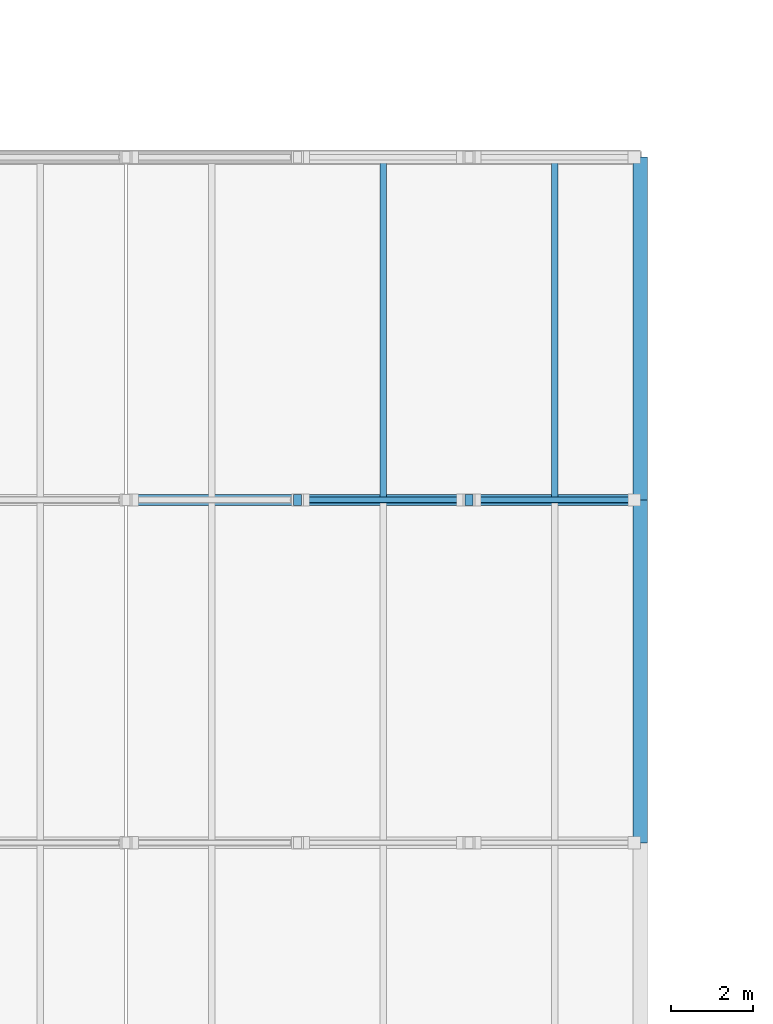
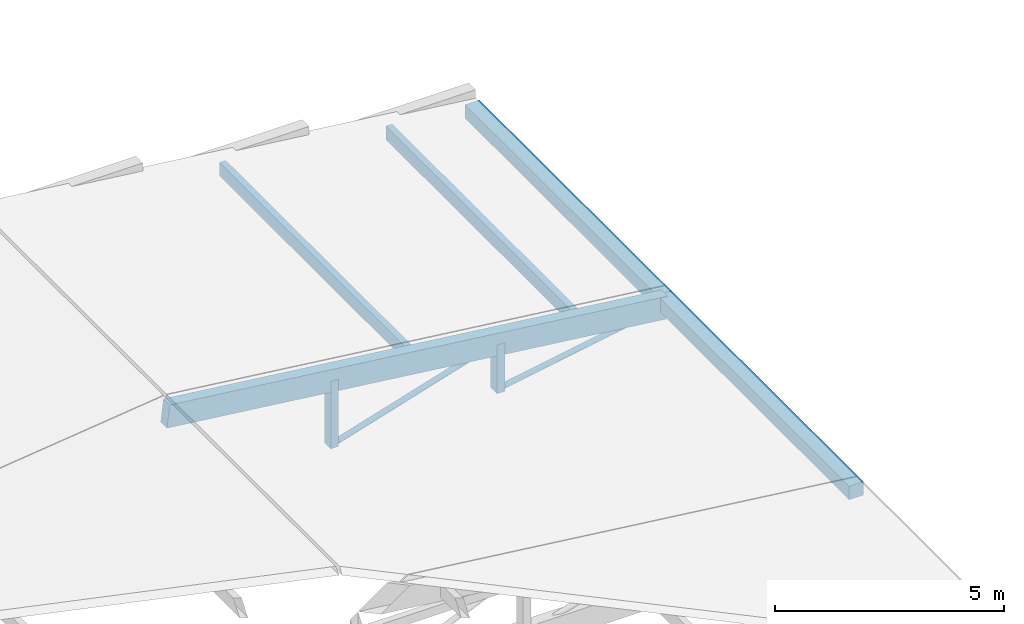
# One storey, part 10 of 34: 7 members, 2 beams.
"""IFC4 building model written with IfcOpenShell, lengths in metres."""

from ifc_helpers import new_model, si_unit, direction, frame, origin, origin_2d, place, context, subcontext, project, spatial, rectangle, hollow_circle, extrude, material, material_profile, profile_set, type_object, element, save


model = new_model("IFC4")

# Units and contexts
model_context = context("Model", 3, precision=1e-05, world=origin(), true_north=direction((0.0, 1.0)))
body_context = subcontext(model_context, "Body", "Model", "MODEL_VIEW")
ifc_project = project(units=[si_unit("LENGTHUNIT", "METRE"), si_unit("AREAUNIT", "SQUARE_METRE"), si_unit("VOLUMEUNIT", "CUBIC_METRE"), si_unit("PLANEANGLEUNIT", "RADIAN"), si_unit("MASSUNIT", "GRAM", prefix="KILO")], contexts=[model_context])

# Site, building, storey
site_placement = place(None, origin())
site = spatial("IfcSite", under=ifc_project, at=site_placement, CompositionType="ELEMENT")
building_placement = place(site_placement, origin())
building = spatial("IfcBuilding", under=site, at=building_placement, Name="Kahlenmark Community Centre", CompositionType="ELEMENT")
storey_placement = place(building_placement, frame((0.0, 0.0, 17.699951171875)))
storey = spatial("IfcBuildingStorey", under=building, at=storey_placement, Name="L04", CompositionType="ELEMENT", Elevation=17.699951171875)

# Beams
ifc_material_1 = material(Name="Glulam GL32h", Category="wood")
ifc_material_profile_1 = material_profile(ifc_material_1, rectangle(XDim=0.360107421875, YDim=0.360107421875, at=origin_2d()), Name="GL32h 360x360")
ifc_profile_set_1 = profile_set([ifc_material_profile_1], Name="Glulam GL32h")
beam_type = type_object("IfcBeamType", Name="BT-SPANDREL-GL32h360x360", PredefinedType="SPANDREL", material=ifc_profile_set_1)
beam_1_placement = place(storey_placement, frame((29.199951171875, 59.199951171875, -0.3798828125), z_axis=(0.0, 1.0, 0.0), x_axis=(-1.0, 0.0, 0.0)))
element("IfcBeam", 1, at=beam_1_placement, inside=storey, type_object=beam_type, Name="L04 spandrel SP-EAV400", PredefinedType="SPANDREL", context=body_context, shape_type="SweptSolid", body=[
    extrude(rectangle(XDim=0.360107421875, YDim=0.360107421875, at=origin_2d()), origin(), (0.0, 0.0, 1.0), 8.400146484375),
])
beam_2_placement = place(storey_placement, frame((29.199951171875, 67.60009765625, -0.3798828125), z_axis=(0.0, 1.0, 0.0), x_axis=(-1.0, 0.0, 0.0)))
element("IfcBeam", 2, at=beam_2_placement, inside=storey, type_object=beam_type, Name="L04 spandrel SP-EAV400", PredefinedType="SPANDREL", context=body_context, shape_type="SweptSolid", body=[
    extrude(rectangle(XDim=0.360107421875, YDim=0.360107421875, at=origin_2d()), origin(), (0.0, 0.0, 1.0), 8.39990234375),
])

# Members
ifc_material_2 = material(Name="Steel S355", Category="steel")
ifc_material_profile_2 = material_profile(ifc_material_2, hollow_circle(Radius=0.06982421875, WallThickness=0.00634765625, at=origin_2d()), Name="CHS 139.7x6.3")
ifc_profile_set_2 = profile_set([ifc_material_profile_2], Name="Steel S355")
member_type_1 = type_object("IfcMemberType", Name="MT-BRACE-CHS139.7x6.3", PredefinedType="BRACE", material=ifc_profile_set_2)
member_1_placement = place(storey_placement, frame((20.949951171875, 67.60009765625, -1.25), z_axis=(0.955785476607, 0.0, 0.294064827388), x_axis=(0.0, 1.0, 0.0)))
element("IfcMember", 3, at=member_1_placement, inside=storey, type_object=member_type_1, Name="L04 brace ST-WEB-D", PredefinedType="BRACE", context=body_context, shape_type="SweptSolid", body=[
    extrude(hollow_circle(Radius=0.06982421875, WallThickness=0.00634765625, at=origin_2d()), origin(), (0.0, 0.0, 1.0), 4.08056640625),
])
member_2_placement = place(storey_placement, frame((25.14990234375, 67.60009765625, -1.25), z_axis=(0.984274503337, 0.0, 0.176645696467), x_axis=(0.0, 1.0, 0.0)))
element("IfcMember", 4, at=member_2_placement, inside=storey, type_object=member_type_1, Name="L04 brace ST-WEB-D", PredefinedType="BRACE", context=body_context, shape_type="SweptSolid", body=[
    extrude(hollow_circle(Radius=0.06982421875, WallThickness=0.00634765625, at=origin_2d()), origin(), (0.0, 0.0, 1.0), 3.96240234375),
])
ifc_material_profile_3 = material_profile(ifc_material_1, rectangle(XDim=0.280029296875, YDim=0.60009765625, at=origin_2d()), Name="GL32h 280x600")
ifc_profile_set_3 = profile_set([ifc_material_profile_3], Name="Glulam GL32h")
member_type_2 = type_object("IfcMemberType", Name="MT-CHORD-GL32h280x600", PredefinedType="CHORD", material=ifc_profile_set_3)
member_3_placement = place(storey_placement, frame((16.60009765625, 67.60009765625, 1.0), z_axis=(0.99298811287, 0.0, -0.118214244908), x_axis=(0.0, 1.0, 0.0)))
element("IfcMember", 5, at=member_3_placement, inside=storey, type_object=member_type_2, Name="L04 chord ST-TC", PredefinedType="CHORD", context=body_context, shape_type="SweptSolid", body=[
    extrude(rectangle(XDim=0.280029296875, YDim=0.60009765625, at=origin_2d()), origin(), (0.0, 0.0, 1.0), 12.688720703125),
])
ifc_material_3 = material(Name="Glulam GL28h", Category="wood")
ifc_material_profile_4 = material_profile(ifc_material_3, rectangle(XDim=0.159912109375, YDim=0.360107421875, at=origin_2d()), Name="GL28h 160x360")
ifc_profile_set_4 = profile_set([ifc_material_profile_4], Name="Glulam GL28h")
member_type_3 = type_object("IfcMemberType", Name="MT-PURLIN-GL28h160x360", PredefinedType="PURLIN", material=ifc_profile_set_4)
for number, where, z_axis, x_axis, name in (
    (6, (22.89990234375, 67.60009765625, 0.25), (0.0, 1.0, 0.0), (-1.0, 0.0, 0.0), "L04 purlin PR-SP360"),
    (7, (27.10009765625, 67.60009765625, -0.25), (0.0, 1.0, 0.0), (-1.0, 0.0, 0.0), "L04 purlin PR-SP360"),
):
    element("IfcMember", number, at=place(storey_placement, frame(where, z_axis=z_axis, x_axis=x_axis)), inside=storey, type_object=member_type_3, Name=name, PredefinedType="PURLIN", context=body_context, shape_type="SweptSolid", body=[
        extrude(rectangle(XDim=0.159912109375, YDim=0.360107421875, at=origin_2d()), origin(), (0.0, 0.0, 1.0), 8.39990234375),
    ])
ifc_material_profile_5 = material_profile(ifc_material_3, rectangle(XDim=0.199951171875, YDim=0.280029296875, at=origin_2d()), Name="GL28h 200x280")
ifc_profile_set_5 = profile_set([ifc_material_profile_5], Name="Glulam GL28h")
member_type_4 = type_object("IfcMemberType", Name="MT-STRUT-GL28h200x280", PredefinedType="STRUT", material=ifc_profile_set_5)
member_4_placement = place(storey_placement, frame((20.800048828125, 67.60009765625, -1.300048828125), z_axis=(0.0, 0.0, 1.0), x_axis=(1.0, 0.0, 0.0)))
element("IfcMember", 8, at=member_4_placement, inside=storey, type_object=member_type_4, Name="L04 strut ST-WEB-V", PredefinedType="STRUT", context=body_context, shape_type="SweptSolid", body=[
    extrude(rectangle(XDim=0.199951171875, YDim=0.280029296875, at=origin_2d()), origin(), (0.0, 0.0, 1.0), 1.800048828125),
])
member_5_placement = place(storey_placement, frame((25.0, 67.60009765625, -1.300048828125), z_axis=(0.0, 0.0, 1.0), x_axis=(1.0, 0.0, 0.0)))
element("IfcMember", 9, at=member_5_placement, inside=storey, type_object=member_type_4, Name="L04 strut ST-WEB-V", PredefinedType="STRUT", context=body_context, shape_type="SweptSolid", body=[
    extrude(rectangle(XDim=0.199951171875, YDim=0.280029296875, at=origin_2d()), origin(), (0.0, 0.0, 1.0), 1.300048828125),
])

save(model, "model.ifc")
